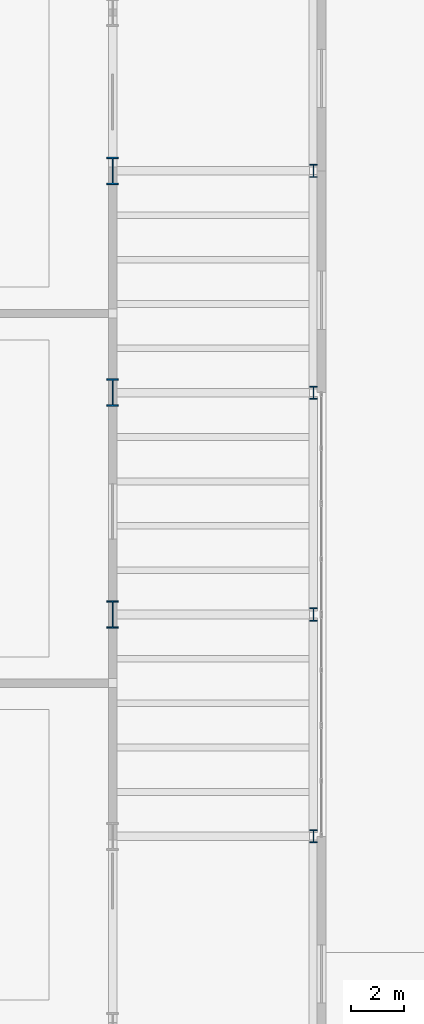
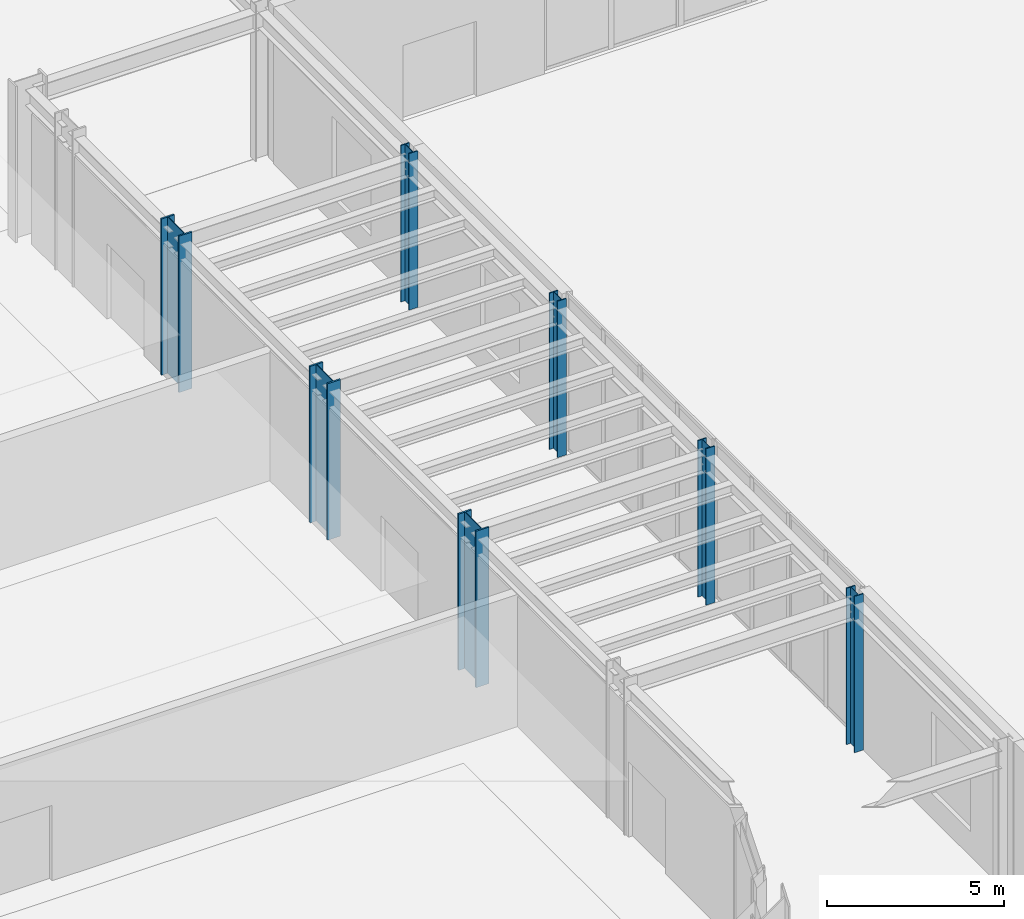
# One storey, part 4 of 94: 7 columns.
"""IFC4 building model written with IfcOpenShell, lengths in metres."""

from ifc_helpers import new_model, si_unit, direction, frame, origin, origin_2d, place, context, subcontext, project, spatial, i_section, extrude, material, material_profile, profile_set, type_object, element, save


model = new_model("IFC4")

# Units and contexts
model_context = context("Model", 3, precision=1e-05, world=origin(), true_north=direction((0.0, 1.0)))
body_context = subcontext(model_context, "Body", "Model", "MODEL_VIEW")
ifc_project = project(units=[si_unit("LENGTHUNIT", "METRE"), si_unit("AREAUNIT", "SQUARE_METRE"), si_unit("VOLUMEUNIT", "CUBIC_METRE"), si_unit("PLANEANGLEUNIT", "RADIAN"), si_unit("MASSUNIT", "GRAM", prefix="KILO")], contexts=[model_context])

# Site, building, storey
site_placement = place(None, origin())
site = spatial("IfcSite", under=ifc_project, at=site_placement, CompositionType="ELEMENT")
building_placement = place(site_placement, origin())
building = spatial("IfcBuilding", under=site, at=building_placement, Name="Sollismere Congress Hotel", CompositionType="ELEMENT")
storey_placement = place(building_placement, origin())
storey = spatial("IfcBuildingStorey", under=building, at=storey_placement, Name="L00", CompositionType="ELEMENT", Elevation=0.0)

# Columns
ifc_material = material(Name="Steel ASTM A992 Grade 50", Category="steel")
ifc_material_profile_1 = material_profile(ifc_material, i_section(OverallWidth=0.283935546875, OverallDepth=0.4951171875, WebThickness=0.0185546875, FlangeThickness=0.033447265625, at=origin_2d()), Name="W18X143")
ifc_profile_set_1 = profile_set([ifc_material_profile_1], Name="Steel ASTM A992 Grade 50")
column_type_1 = type_object("IfcColumnType", Name="COL-W18", PredefinedType="COLUMN", material=ifc_profile_set_1)
for number, where, z_axis, x_axis, name in (
    (1, (58.0, 33.199951171875, 0.0), (0.0, 0.0, 1.0), (1.0, 0.0, 0.0), "Column CL-L00-249"),
    (2, (58.0, 41.60009765625, 0.0), (0.0, 0.0, 1.0), (1.0, 0.0, 0.0), "Column CL-L00-253"),
    (3, (58.0, 50.0, 0.0), (0.0, 0.0, 1.0), (1.0, 0.0, 0.0), "Column CL-L00-257"),
    (4, (58.0, 58.39990234375, 0.0), (0.0, 0.0, 1.0), (1.0, 0.0, 0.0), "Column CL-L00-261"),
):
    element("IfcColumn", number, at=place(storey_placement, frame(where, z_axis=z_axis, x_axis=x_axis)), inside=storey, type_object=column_type_1, Name=name, PredefinedType="COLUMN", context=body_context, shape_type="SweptSolid", body=[
        extrude(i_section(OverallWidth=0.283935546875, OverallDepth=0.4951171875, WebThickness=0.0185546875, FlangeThickness=0.033447265625, at=origin_2d()), origin(), (0.0, 0.0, 1.0), 5.39990234375),
    ])
ifc_material_profile_2 = material_profile(ifc_material, i_section(OverallWidth=0.427001953125, OverallDepth=1.041015625, WebThickness=0.031005859375, FlangeThickness=0.055908203125, at=origin_2d()), Name="W40X397")
ifc_profile_set_2 = profile_set([ifc_material_profile_2], Name="Steel ASTM A992 Grade 50")
column_type_2 = type_object("IfcColumnType", Name="COL-W40", PredefinedType="COLUMN", material=ifc_profile_set_2)
for number, where, z_axis, x_axis, name in (
    (5, (50.39990234375, 41.60009765625, 0.0), (0.0, 0.0, 1.0), (1.0, 0.0, 0.0), "Column CL-L00-210"),
    (6, (50.39990234375, 50.0, 0.0), (0.0, 0.0, 1.0), (1.0, 0.0, 0.0), "Column CL-L00-214"),
    (7, (50.39990234375, 58.39990234375, 0.0), (0.0, 0.0, 1.0), (1.0, 0.0, 0.0), "Column CL-L00-218"),
):
    element("IfcColumn", number, at=place(storey_placement, frame(where, z_axis=z_axis, x_axis=x_axis)), inside=storey, type_object=column_type_2, Name=name, PredefinedType="COLUMN", context=body_context, shape_type="SweptSolid", body=[
        extrude(i_section(OverallWidth=0.427001953125, OverallDepth=1.041015625, WebThickness=0.031005859375, FlangeThickness=0.055908203125, at=origin_2d()), origin(), (0.0, 0.0, 1.0), 5.39990234375),
    ])

save(model, "model.ifc")
